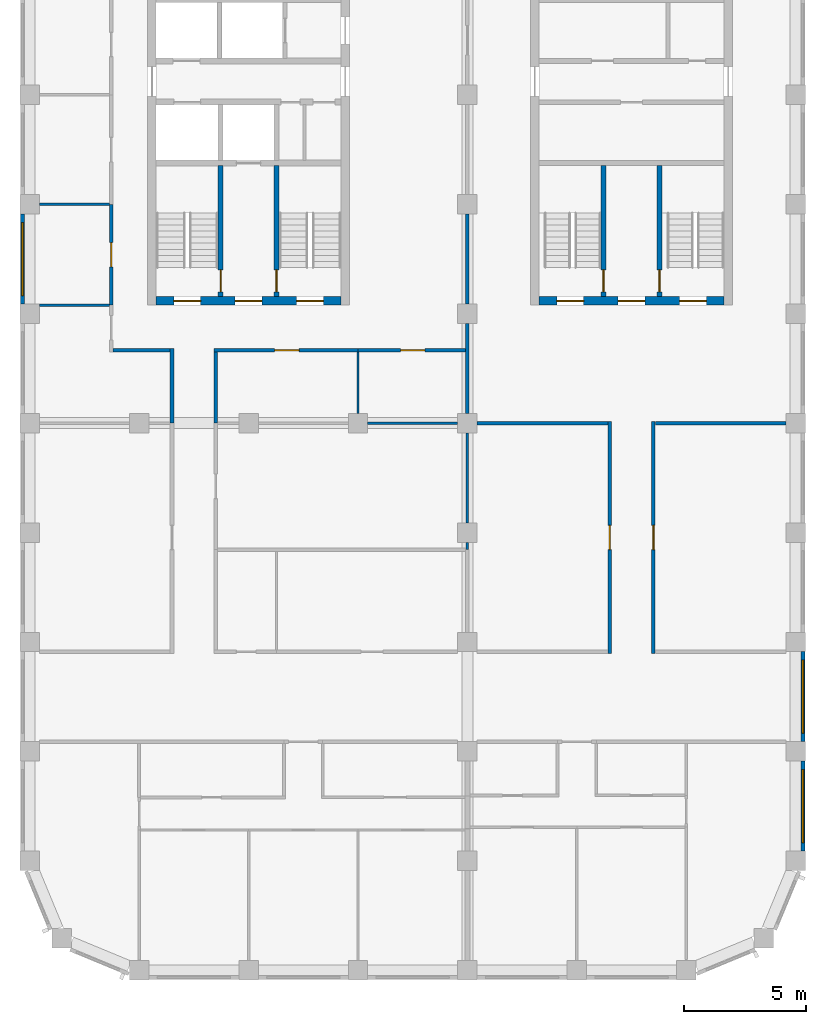
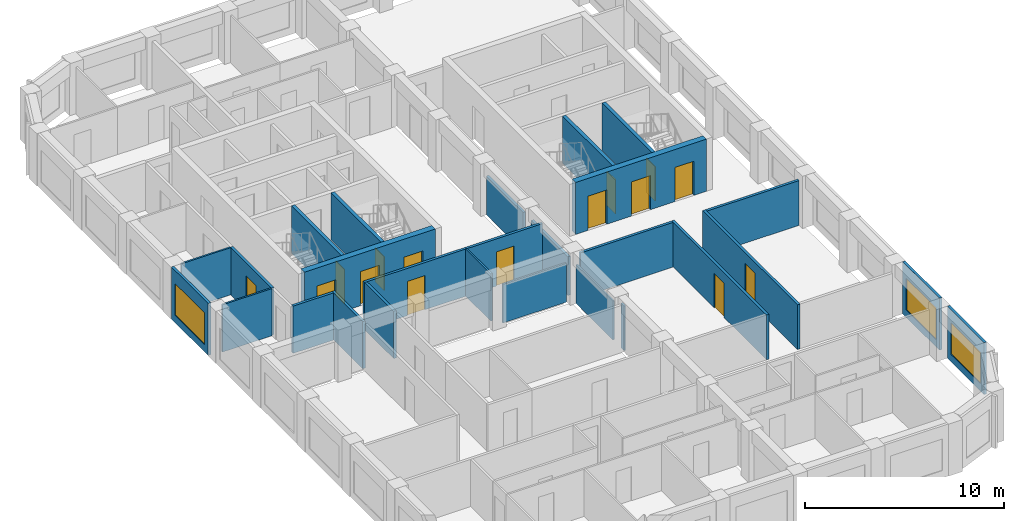
# One storey, part 4 of 9: 27 walls, 15 doors, 3 windows, 18 openings.
"""IFC4 building model written with IfcOpenShell, lengths in metres."""

from ifc_helpers import new_model, si_unit, direction, frame, frame_2d, origin, place, context, subcontext, project, spatial, rectangle, extrude, material, layer, layer_set, type_object, element, fill, save


model = new_model("IFC4")

# Units and contexts
model_context = context("Model", 3, precision=1e-05, world=origin(), true_north=direction((0.0, 1.0)))
body_context = subcontext(model_context, "Body", "Model", "MODEL_VIEW")
ifc_project = project(units=[si_unit("LENGTHUNIT", "METRE"), si_unit("AREAUNIT", "SQUARE_METRE"), si_unit("VOLUMEUNIT", "CUBIC_METRE"), si_unit("PLANEANGLEUNIT", "RADIAN"), si_unit("MASSUNIT", "GRAM", prefix="KILO")], contexts=[model_context])

# Site, building, storey
site_placement = place(None, origin())
site = spatial("IfcSite", under=ifc_project, at=site_placement, CompositionType="ELEMENT")
building_placement = place(site_placement, origin())
building = spatial("IfcBuilding", under=site, at=building_placement, Name="Girih Gate Residences", CompositionType="ELEMENT")
storey_placement = place(building_placement, frame((0.0, 0.0, 226.094970703125)))
storey = spatial("IfcBuildingStorey", under=building, at=storey_placement, Name="L63", CompositionType="ELEMENT", Elevation=226.094970703125)

# Walls
ifc_material_1 = material(Name="Gypsum board on steel studs", Category="steel")
ifc_layer_1 = layer(ifc_material_1, 0.14990234375)
ifc_layer_set_1 = layer_set([ifc_layer_1], Name="Compartment wall 150 mm")
wall_type_1 = type_object("IfcWallType", Name="Compartment wall 150 mm", PredefinedType="PARTITIONING", material=ifc_layer_set_1)
for number, where, z_axis, x_axis, name in (
    (1, (18.39990234375, 22.5, 0.0), (0.0, 0.0, 1.0), (1.0, 0.0, 0.0), "L63 partition"),
    (2, (25.72509765625, 22.5, 0.0), (0.0, 0.0, 1.0), (1.0, 0.0, 0.0), "L63 partition"),
):
    element("IfcWall", number, at=place(storey_placement, frame(where, z_axis=z_axis, x_axis=x_axis)), inside=storey, type_object=wall_type_1, Name=name, PredefinedType="PARTITIONING", context=body_context, shape_type="SweptSolid", body=[
        extrude(rectangle(XDim=5.375, YDim=0.14990234375, at=frame_2d((2.6875, 0.0))), origin(), (0.0, 0.0, 1.0), 2.75),
    ])
for number, where, z_axis, x_axis, name in (
    (3, (18.0, 27.39990234375, 0.0), (0.0, 0.0, 1.0), (0.0, 1.0, 0.0), "L63 partition"),
    (4, (18.0, 22.89990234375, 0.0), (0.0, 0.0, 1.0), (0.0, 1.0, 0.0), "L63 partition"),
):
    element("IfcWall", number, at=place(storey_placement, frame(where, z_axis=z_axis, x_axis=x_axis)), inside=storey, type_object=wall_type_1, Name=name, PredefinedType="PARTITIONING", context=body_context, shape_type="SweptSolid", body=[
        extrude(rectangle(XDim=3.7001953125, YDim=0.14990234375, at=frame_2d((1.85009765625, 0.0))), origin(), (0.0, 0.0, 1.0), 2.380126953125),
    ])

# Wall, opening, door
wall_1_placement = place(storey_placement, frame((23.85009765625, 13.02490234375, 0.0), z_axis=(0.0, 0.0, 1.0), x_axis=(0.0, 1.0, 0.0)))
wall_1 = element("IfcWall", 5, at=wall_1_placement, inside=storey, type_object=wall_type_1, Name="L63 partition", PredefinedType="PARTITIONING", context=body_context, shape_type="SweptSolid", body=[
    extrude(rectangle(XDim=9.550048828125, YDim=0.14990234375, at=frame_2d((4.77490234375, 0.0))), origin(), (0.0, 0.0, 1.0), 2.75),
])
opening_1_placement = place(wall_1_placement, frame((4.27490234375, 0.0, 0.0)))
opening_1 = element("IfcOpeningElement", 6, at=opening_1_placement, cuts=wall_1, Name="Opening A63-027", PredefinedType="OPENING", context=body_context, shape_type="SweptSolid", body=[
    extrude(rectangle(XDim=1.0, YDim=2.10009765625, at=frame_2d((0.5, 1.050048828125))), frame((0.0, 0.0849609375, 0.0), z_axis=(0.0, -1.0, 0.0), x_axis=(1.0, 0.0, 0.0)), (0.0, 0.0, 1.0), 0.169921875),
])
ifc_material_2 = material(Name="Timber, fire-rated core", Category="wood")
door_type_1 = type_object("IfcDoorType", Name="Amenity room door 1000x2100 FD30S", OperationType="NOTDEFINED", PredefinedType="DOOR", material=ifc_material_2)
door_1_placement = place(opening_1_placement, origin())
door_1 = element("IfcDoor", 7, at=door_1_placement, inside=storey, type_object=door_type_1, Name="Door A63-027", OperationType="SINGLE_SWING_RIGHT", OverallHeight=2.10009765625, OverallWidth=1.0, PredefinedType="DOOR", context=body_context, shape_type="SweptSolid", body=[
    extrude(rectangle(XDim=1.0, YDim=2.10009765625, at=frame_2d((0.5, 1.050048828125))), frame((0.0, 0.02490234375, 0.0), z_axis=(0.0, -1.0, 0.0), x_axis=(1.0, 0.0, 0.0)), (0.0, 0.0, 1.0), 0.050048828125),
])
fill(opening_1, door_1)

wall_2_placement = place(storey_placement, frame((25.64990234375, 22.574951171875, 0.0), z_axis=(0.0, 0.0, 1.0), x_axis=(0.0, -1.0, 0.0)))
wall_2 = element("IfcWall", 8, at=wall_2_placement, inside=storey, type_object=wall_type_1, Name="L63 partition", PredefinedType="PARTITIONING", context=body_context, shape_type="SweptSolid", body=[
    extrude(rectangle(XDim=9.550048828125, YDim=0.14990234375, at=frame_2d((4.77490234375, 0.0))), origin(), (0.0, 0.0, 1.0), 2.75),
])
opening_2_placement = place(wall_2_placement, frame((4.27490234375, 0.0, 0.0)))
opening_2 = element("IfcOpeningElement", 9, at=opening_2_placement, cuts=wall_2, Name="Opening A63-028", PredefinedType="OPENING", context=body_context, shape_type="SweptSolid", body=[
    extrude(rectangle(XDim=1.0, YDim=2.10009765625, at=frame_2d((0.5, 1.050048828125))), frame((0.0, 0.0849609375, 0.0), z_axis=(0.0, -1.0, 0.0), x_axis=(1.0, 0.0, 0.0)), (0.0, 0.0, 1.0), 0.169921875),
])
door_2_placement = place(opening_2_placement, origin())
door_2 = element("IfcDoor", 10, at=door_2_placement, inside=storey, type_object=door_type_1, Name="Door A63-028", OperationType="SINGLE_SWING_LEFT", OverallHeight=2.10009765625, OverallWidth=1.0, PredefinedType="DOOR", context=body_context, shape_type="SweptSolid", body=[
    extrude(rectangle(XDim=1.0, YDim=2.10009765625, at=frame_2d((0.5, 1.050048828125))), frame((0.0, 0.02490234375, 0.0), z_axis=(0.0, -1.0, 0.0), x_axis=(1.0, 0.0, 0.0)), (0.0, 0.0, 1.0), 0.050048828125),
])
fill(opening_2, door_2)

# Walls
wall_3_placement = place(storey_placement, frame((5.85009765625, 22.5, 0.0), z_axis=(0.0, 0.0, 1.0), x_axis=(0.0, 1.0, 0.0)))
element("IfcWall", 11, at=wall_3_placement, inside=storey, type_object=wall_type_1, Name="L63 partition", PredefinedType="PARTITIONING", context=body_context, shape_type="SweptSolid", body=[
    extrude(rectangle(XDim=3.074951171875, YDim=0.14990234375, at=frame_2d((1.53759765625, 0.0))), origin(), (0.0, 0.0, 1.0), 2.900146484375),
])
wall_4_placement = place(storey_placement, frame((3.425048828125, 25.5, 0.0), z_axis=(0.0, 0.0, 1.0), x_axis=(1.0, 0.0, 0.0)))
element("IfcWall", 12, at=wall_4_placement, inside=storey, type_object=wall_type_1, Name="L63 partition", PredefinedType="PARTITIONING", context=body_context, shape_type="SweptSolid", body=[
    extrude(rectangle(XDim=2.349853515625, YDim=0.14990234375, at=frame_2d((1.1748046875, 0.0))), origin(), (0.0, 0.0, 1.0), 2.900146484375),
])

# Wall, opening, door
wall_5_placement = place(storey_placement, frame((13.5, 25.5, 0.0), z_axis=(0.0, 0.0, 1.0), x_axis=(-1.0, 0.0, 0.0)))
wall_5 = element("IfcWall", 13, at=wall_5_placement, inside=storey, type_object=wall_type_1, Name="L63 partition", PredefinedType="PARTITIONING", context=body_context, shape_type="SweptSolid", body=[
    extrude(rectangle(XDim=5.925048828125, YDim=0.14990234375, at=frame_2d((2.96240234375, 0.0))), origin(), (0.0, 0.0, 1.0), 2.900146484375),
])
opening_3_placement = place(wall_5_placement, frame((2.425048828125, 0.0, 0.0)))
opening_3 = element("IfcOpeningElement", 14, at=opening_3_placement, cuts=wall_5, Name="Opening A63-032", PredefinedType="OPENING", context=body_context, shape_type="SweptSolid", body=[
    extrude(rectangle(XDim=1.0, YDim=2.10009765625, at=frame_2d((0.5, 1.050048828125))), frame((0.0, 0.0849609375, 0.0), z_axis=(0.0, -1.0, 0.0), x_axis=(1.0, 0.0, 0.0)), (0.0, 0.0, 1.0), 0.169921875),
])
door_3_placement = place(opening_3_placement, origin())
door_3 = element("IfcDoor", 15, at=door_3_placement, inside=storey, type_object=door_type_1, Name="Door A63-032", OperationType="SINGLE_SWING_LEFT", OverallHeight=2.10009765625, OverallWidth=1.0, PredefinedType="DOOR", context=body_context, shape_type="SweptSolid", body=[
    extrude(rectangle(XDim=1.0, YDim=2.10009765625, at=frame_2d((0.5, 1.050048828125))), frame((0.0, 0.02490234375, 0.0), z_axis=(0.0, -1.0, 0.0), x_axis=(1.0, 0.0, 0.0)), (0.0, 0.0, 1.0), 0.050048828125),
])
fill(opening_3, door_3)

# Wall
wall_6_placement = place(storey_placement, frame((7.64990234375, 22.5, 0.0), z_axis=(0.0, 0.0, 1.0), x_axis=(0.0, 1.0, 0.0)))
element("IfcWall", 16, at=wall_6_placement, inside=storey, type_object=wall_type_1, Name="L63 partition", PredefinedType="PARTITIONING", context=body_context, shape_type="SweptSolid", body=[
    extrude(rectangle(XDim=2.925048828125, YDim=0.14990234375, at=frame_2d((1.46240234375, 0.0))), origin(), (0.0, 0.0, 1.0), 2.900146484375),
])

# Wall, opening, door
wall_7_placement = place(storey_placement, frame((17.925048828125, 25.5, 0.0), z_axis=(0.0, 0.0, 1.0), x_axis=(-1.0, 0.0, 0.0)))
wall_7 = element("IfcWall", 17, at=wall_7_placement, inside=storey, type_object=wall_type_1, Name="L63 partition", PredefinedType="PARTITIONING", context=body_context, shape_type="SweptSolid", body=[
    extrude(rectangle(XDim=4.425048828125, YDim=0.14990234375, at=frame_2d((2.21240234375, 0.0))), origin(), (0.0, 0.0, 1.0), 2.900146484375),
])
opening_4_placement = place(wall_7_placement, frame((1.675048828125, 0.0, 0.0)))
opening_4 = element("IfcOpeningElement", 18, at=opening_4_placement, cuts=wall_7, Name="Opening A63-033", PredefinedType="OPENING", context=body_context, shape_type="SweptSolid", body=[
    extrude(rectangle(XDim=1.0, YDim=2.10009765625, at=frame_2d((0.5, 1.050048828125))), frame((0.0, 0.0849609375, 0.0), z_axis=(0.0, -1.0, 0.0), x_axis=(1.0, 0.0, 0.0)), (0.0, 0.0, 1.0), 0.169921875),
])
door_4_placement = place(opening_4_placement, origin())
door_4 = element("IfcDoor", 19, at=door_4_placement, inside=storey, type_object=door_type_1, Name="Door A63-033", OperationType="SINGLE_SWING_LEFT", OverallHeight=2.10009765625, OverallWidth=1.0, PredefinedType="DOOR", context=body_context, shape_type="SweptSolid", body=[
    extrude(rectangle(XDim=1.0, YDim=2.10009765625, at=frame_2d((0.5, 1.050048828125))), frame((0.0, 0.02490234375, 0.0), z_axis=(0.0, -1.0, 0.0), x_axis=(1.0, 0.0, 0.0)), (0.0, 0.0, 1.0), 0.050048828125),
])
fill(opening_4, door_4)

wall_8_placement = place(storey_placement, frame((3.35009765625, 27.35009765625, 0.0), z_axis=(0.0, 0.0, 1.0), x_axis=(0.0, 1.0, 0.0)))
wall_8 = element("IfcWall", 20, at=wall_8_placement, inside=storey, type_object=wall_type_1, Name="L63 partition", PredefinedType="PARTITIONING", context=body_context, shape_type="SweptSolid", body=[
    extrude(rectangle(XDim=4.14990234375, YDim=0.14990234375, at=frame_2d((2.074951171875, 0.0))), origin(), (0.0, 0.0, 1.0), 2.900146484375),
])
opening_5_placement = place(wall_8_placement, frame((1.574951171875, 0.0, 0.0)))
opening_5 = element("IfcOpeningElement", 21, at=opening_5_placement, cuts=wall_8, Name="Opening A63-034", PredefinedType="OPENING", context=body_context, shape_type="SweptSolid", body=[
    extrude(rectangle(XDim=1.0, YDim=2.10009765625, at=frame_2d((0.5, 1.050048828125))), frame((0.0, 0.0849609375, 0.0), z_axis=(0.0, -1.0, 0.0), x_axis=(1.0, 0.0, 0.0)), (0.0, 0.0, 1.0), 0.169921875),
])
door_5_placement = place(opening_5_placement, origin())
door_5 = element("IfcDoor", 22, at=door_5_placement, inside=storey, type_object=door_type_1, Name="Door A63-034", OperationType="SINGLE_SWING_RIGHT", OverallHeight=2.10009765625, OverallWidth=1.0, PredefinedType="DOOR", context=body_context, shape_type="SweptSolid", body=[
    extrude(rectangle(XDim=1.0, YDim=2.10009765625, at=frame_2d((0.5, 1.050048828125))), frame((0.0, 0.02490234375, 0.0), z_axis=(0.0, -1.0, 0.0), x_axis=(1.0, 0.0, 0.0)), (0.0, 0.0, 1.0), 0.050048828125),
])
fill(opening_5, door_5)

# Wall, openings, doors
ifc_material_3 = material(Name="Concrete C60/75", Category="concrete")
ifc_layer_2 = layer(ifc_material_3, 0.35009765625)
ifc_layer_set_2 = layer_set([ifc_layer_2], Name="Core wall RC 350 Concrete C60/75")
wall_type_2 = type_object("IfcWallType", Name="Core wall RC 350 Concrete C60/75", PredefinedType="SOLIDWALL", material=ifc_layer_set_2)
wall_9_placement = place(storey_placement, frame((5.199951171875, 27.52490234375, 0.0), z_axis=(0.0, 0.0, 1.0), x_axis=(1.0, 0.0, 0.0)))
wall_9 = element("IfcWall", 23, at=wall_9_placement, inside=storey, type_object=wall_type_2, Name="Core wall W-S L63", PredefinedType="SOLIDWALL", context=body_context, shape_type="SweptSolid", body=[
    extrude(rectangle(XDim=7.60009765625, YDim=0.35009765625, at=frame_2d((3.800048828125, 0.0))), origin(), (0.0, 0.0, 1.0), 3.199951171875),
])
opening_6_placement = place(wall_9_placement, frame((0.72509765625, 0.0, 0.0)))
opening_6 = element("IfcOpeningElement", 24, at=opening_6_placement, cuts=wall_9, Name="Opening D-L63-W-009", PredefinedType="OPENING", context=body_context, shape_type="SweptSolid", body=[
    extrude(rectangle(XDim=1.10009765625, YDim=2.10009765625, at=frame_2d((0.550048828125, 1.050048828125))), frame((0.0, 0.18505859375, 0.0), z_axis=(0.0, -1.0, 0.0), x_axis=(1.0, 0.0, 0.0)), (0.0, 0.0, 1.0), 0.3701171875),
])
opening_7_placement = place(wall_9_placement, frame((3.25, 0.0, 0.0)))
opening_7 = element("IfcOpeningElement", 25, at=opening_7_placement, cuts=wall_9, Name="Opening D-L63-W-010", PredefinedType="OPENING", context=body_context, shape_type="SweptSolid", body=[
    extrude(rectangle(XDim=1.10009765625, YDim=2.10009765625, at=frame_2d((0.550048828125, 1.050048828125))), frame((0.0, 0.18505859375, 0.0), z_axis=(0.0, -1.0, 0.0), x_axis=(1.0, 0.0, 0.0)), (0.0, 0.0, 1.0), 0.3701171875),
])
opening_8_placement = place(wall_9_placement, frame((5.77490234375, 0.0, 0.0)))
opening_8 = element("IfcOpeningElement", 26, at=opening_8_placement, cuts=wall_9, Name="Opening D-L63-W-011", PredefinedType="OPENING", context=body_context, shape_type="SweptSolid", body=[
    extrude(rectangle(XDim=1.10009765625, YDim=2.10009765625, at=frame_2d((0.550048828125, 1.050048828125))), frame((0.0, 0.18505859375, 0.0), z_axis=(0.0, -1.0, 0.0), x_axis=(1.0, 0.0, 0.0)), (0.0, 0.0, 1.0), 0.3701171875),
])
ifc_material_4 = material(Name="Painted steel, fire-resisting", Category="steel")
door_type_2 = type_object("IfcDoorType", Name="Fire door 1100x2100", OperationType="SINGLE_SWING_LEFT", PredefinedType="DOOR", material=ifc_material_4)
door_6_placement = place(opening_6_placement, origin())
door_6 = element("IfcDoor", 27, at=door_6_placement, inside=storey, type_object=door_type_2, Name="L63 W core door sta-out", OperationType="SINGLE_SWING_LEFT", OverallHeight=2.10009765625, OverallWidth=1.10009765625, PredefinedType="DOOR", context=body_context, shape_type="SweptSolid", body=[
    extrude(rectangle(XDim=1.10009765625, YDim=2.10009765625, at=frame_2d((0.550048828125, 1.050048828125))), frame((0.0, 0.02490234375, 0.0), z_axis=(0.0, -1.0, 0.0), x_axis=(1.0, 0.0, 0.0)), (0.0, 0.0, 1.0), 0.050048828125),
])
fill(opening_6, door_6)
door_7_placement = place(opening_7_placement, origin())
door_7 = element("IfcDoor", 28, at=door_7_placement, inside=storey, type_object=door_type_2, Name="L63 W core door ffl-out", OperationType="SINGLE_SWING_LEFT", OverallHeight=2.10009765625, OverallWidth=1.10009765625, PredefinedType="DOOR", context=body_context, shape_type="SweptSolid", body=[
    extrude(rectangle(XDim=1.10009765625, YDim=2.10009765625, at=frame_2d((0.550048828125, 1.050048828125))), frame((0.0, 0.02490234375, 0.0), z_axis=(0.0, -1.0, 0.0), x_axis=(1.0, 0.0, 0.0)), (0.0, 0.0, 1.0), 0.050048828125),
])
fill(opening_7, door_7)
door_8_placement = place(opening_8_placement, origin())
door_8 = element("IfcDoor", 29, at=door_8_placement, inside=storey, type_object=door_type_2, Name="L63 W core door stb-out", OperationType="SINGLE_SWING_LEFT", OverallHeight=2.10009765625, OverallWidth=1.10009765625, PredefinedType="DOOR", context=body_context, shape_type="SweptSolid", body=[
    extrude(rectangle(XDim=1.10009765625, YDim=2.10009765625, at=frame_2d((0.550048828125, 1.050048828125))), frame((0.0, 0.02490234375, 0.0), z_axis=(0.0, -1.0, 0.0), x_axis=(1.0, 0.0, 0.0)), (0.0, 0.0, 1.0), 0.050048828125),
])
fill(opening_8, door_8)

# Walls
ifc_layer_3 = layer(ifc_material_1, 0.10009765625)
ifc_layer_set_3 = layer_set([ifc_layer_3], Name="Partition 100 mm")
wall_type_3 = type_object("IfcWallType", Name="Partition 100 mm", PredefinedType="PARTITIONING", material=ifc_layer_set_3)
wall_10_placement = place(storey_placement, frame((18.0, 18.39990234375, 0.0), z_axis=(0.0, 0.0, 1.0), x_axis=(0.0, 1.0, 0.0)))
element("IfcWall", 30, at=wall_10_placement, inside=storey, type_object=wall_type_3, Name="L63 partition", PredefinedType="PARTITIONING", context=body_context, shape_type="SweptSolid", body=[
    extrude(rectangle(XDim=3.7001953125, YDim=0.10009765625, at=frame_2d((1.85009765625, 0.0))), origin(), (0.0, 0.0, 1.0), 2.380126953125),
])
wall_11_placement = place(storey_placement, frame((18.0, 17.300048828125, 0.0), z_axis=(0.0, 0.0, 1.0), x_axis=(0.0, 1.0, 0.0)))
element("IfcWall", 31, at=wall_11_placement, inside=storey, type_object=wall_type_3, Name="L63 partition", PredefinedType="PARTITIONING", context=body_context, shape_type="SweptSolid", body=[
    extrude(rectangle(XDim=0.300048828125, YDim=0.10009765625, at=frame_2d((0.14990234375, 0.0))), origin(), (0.0, 0.0, 1.0), 2.75),
])
wall_12_placement = place(storey_placement, frame((13.89990234375, 22.5, 0.0), z_axis=(0.0, 0.0, 1.0), x_axis=(1.0, 0.0, 0.0)))
element("IfcWall", 32, at=wall_12_placement, inside=storey, type_object=wall_type_3, Name="L63 partition", PredefinedType="PARTITIONING", context=body_context, shape_type="SweptSolid", body=[
    extrude(rectangle(XDim=3.7001953125, YDim=0.10009765625, at=frame_2d((1.85009765625, 0.0))), origin(), (0.0, 0.0, 1.0), 2.380126953125),
])
wall_13_placement = place(storey_placement, frame((0.39990234375, 27.35009765625, 0.0), z_axis=(0.0, 0.0, 1.0), x_axis=(1.0, 0.0, 0.0)))
element("IfcWall", 33, at=wall_13_placement, inside=storey, type_object=wall_type_3, Name="L63 partition", PredefinedType="PARTITIONING", context=body_context, shape_type="SweptSolid", body=[
    extrude(rectangle(XDim=2.875, YDim=0.10009765625, at=frame_2d((1.4375, 0.0))), origin(), (0.0, 0.0, 1.0), 2.900146484375),
])
wall_14_placement = place(storey_placement, frame((13.5, 22.89990234375, 0.0), z_axis=(0.0, 0.0, 1.0), x_axis=(0.0, 1.0, 0.0)))
element("IfcWall", 34, at=wall_14_placement, inside=storey, type_object=wall_type_3, Name="L63 partition", PredefinedType="PARTITIONING", context=body_context, shape_type="SweptSolid", body=[
    extrude(rectangle(XDim=2.525146484375, YDim=0.10009765625, at=frame_2d((1.2626953125, 0.0))), origin(), (0.0, 0.0, 1.0), 2.900146484375),
])
wall_15_placement = place(storey_placement, frame((0.39990234375, 31.5, 0.0), z_axis=(0.0, 0.0, 1.0), x_axis=(1.0, 0.0, 0.0)))
element("IfcWall", 35, at=wall_15_placement, inside=storey, type_object=wall_type_3, Name="L63 partition", PredefinedType="PARTITIONING", context=body_context, shape_type="SweptSolid", body=[
    extrude(rectangle(XDim=2.875, YDim=0.10009765625, at=frame_2d((1.4375, 0.0))), origin(), (0.0, 0.0, 1.0), 2.900146484375),
])

# Wall, opening, window
ifc_material_5 = material(Name="Precast concrete C50/60", Category="concrete")
ifc_layer_4 = layer(ifc_material_5, 0.050048828125, Name="Outer leaf")
ifc_material_6 = material(Name="Rigid PIR insulation")
ifc_layer_5 = layer(ifc_material_6, 0.06005859375, Name="Insulation")
ifc_material_7 = material(Name="Precast concrete C40/50", Category="concrete")
ifc_layer_6 = layer(ifc_material_7, 0.0400390625, Name="Inner leaf")
ifc_layer_set_4 = layer_set([ifc_layer_4, ifc_layer_5, ifc_layer_6], Name="Precast concrete C50/60 external wall 150")
wall_type_4 = type_object("IfcWallType", Name="Precast concrete C50/60 external wall 150", PredefinedType="SOLIDWALL", material=ifc_layer_set_4)
wall_16_placement = place(storey_placement, frame((31.800048828125, 8.60009765625, 0.0), z_axis=(0.0, 0.0, 1.0), x_axis=(0.0, -1.0, 0.0)))
wall_16 = element("IfcWall", 36, at=wall_16_placement, inside=storey, type_object=wall_type_4, Name="External wall E0315_0045.0", PredefinedType="SOLIDWALL", context=body_context, shape_type="SweptSolid", body=[
    extrude(rectangle(XDim=3.7001953125, YDim=0.14990234375, at=frame_2d((1.85009765625, 0.0))), origin(), (0.0, 0.0, 1.0), 3.199951171875),
])
opening_9_placement = place(wall_16_placement, frame((0.35009765625, 0.0, 0.449951171875)))
opening_9 = element("IfcOpeningElement", 37, at=opening_9_placement, cuts=wall_16, Name="Opening W-1D", PredefinedType="OPENING", context=body_context, shape_type="SweptSolid", body=[
    extrude(rectangle(XDim=3.0, YDim=1.949951171875, at=frame_2d((1.5, 0.97509765625))), frame((0.0, 0.0849609375, 0.0), z_axis=(0.0, -1.0, 0.0), x_axis=(1.0, 0.0, 0.0)), (0.0, 0.0, 1.0), 0.169921875),
])
ifc_material_8 = material(Name="Double glazing in aluminium frame", Category="aluminium")
window_type = type_object("IfcWindowType", Name="Window W-1D 3000x1950", PartitioningType="SINGLE_PANEL", PredefinedType="WINDOW", material=ifc_material_8)
window_1_placement = place(opening_9_placement, origin())
window_1 = element("IfcWindow", 38, at=window_1_placement, inside=storey, type_object=window_type, Name="Window W-1D E0315_0045.0", OverallHeight=1.949951171875, OverallWidth=3.0, PartitioningType="SINGLE_PANEL", PredefinedType="WINDOW", context=body_context, shape_type="SweptSolid", body=[
    extrude(rectangle(XDim=3.0, YDim=1.949951171875, at=frame_2d((1.5, 0.97509765625))), frame((0.0, 0.030029296875, 0.0), z_axis=(0.0, -1.0, 0.0), x_axis=(1.0, 0.0, 0.0)), (0.0, 0.0, 1.0), 0.06005859375),
])
fill(opening_9, window_1)

wall_17_placement = place(storey_placement, frame((31.800048828125, 13.10009765625, 0.0), z_axis=(0.0, 0.0, 1.0), x_axis=(0.0, -1.0, 0.0)))
wall_17 = element("IfcWall", 39, at=wall_17_placement, inside=storey, type_object=wall_type_4, Name="External wall E0315_0045.1", PredefinedType="SOLIDWALL", context=body_context, shape_type="SweptSolid", body=[
    extrude(rectangle(XDim=3.7001953125, YDim=0.14990234375, at=frame_2d((1.85009765625, 0.0))), origin(), (0.0, 0.0, 1.0), 3.199951171875),
])
opening_10_placement = place(wall_17_placement, frame((0.35009765625, 0.0, 0.449951171875)))
opening_10 = element("IfcOpeningElement", 40, at=opening_10_placement, cuts=wall_17, Name="Opening W-1D", PredefinedType="OPENING", context=body_context, shape_type="SweptSolid", body=[
    extrude(rectangle(XDim=3.0, YDim=1.949951171875, at=frame_2d((1.5, 0.97509765625))), frame((0.0, 0.0849609375, 0.0), z_axis=(0.0, -1.0, 0.0), x_axis=(1.0, 0.0, 0.0)), (0.0, 0.0, 1.0), 0.169921875),
])
window_2_placement = place(opening_10_placement, origin())
window_2 = element("IfcWindow", 41, at=window_2_placement, inside=storey, type_object=window_type, Name="Window W-1D E0315_0045.1", OverallHeight=1.949951171875, OverallWidth=3.0, PartitioningType="SINGLE_PANEL", PredefinedType="WINDOW", context=body_context, shape_type="SweptSolid", body=[
    extrude(rectangle(XDim=3.0, YDim=1.949951171875, at=frame_2d((1.5, 0.97509765625))), frame((0.0, 0.030029296875, 0.0), z_axis=(0.0, -1.0, 0.0), x_axis=(1.0, 0.0, 0.0)), (0.0, 0.0, 1.0), 0.06005859375),
])
fill(opening_10, window_2)

wall_18_placement = place(storey_placement, frame((-0.300048828125, 27.39990234375, 0.0), z_axis=(0.0, 0.0, 1.0), x_axis=(0.0, 1.0, 0.0)))
wall_18 = element("IfcWall", 42, at=wall_18_placement, inside=storey, type_object=wall_type_4, Name="External wall W0000_0450.3", PredefinedType="SOLIDWALL", context=body_context, shape_type="SweptSolid", body=[
    extrude(rectangle(XDim=3.7001953125, YDim=0.14990234375, at=frame_2d((1.85009765625, 0.0))), origin(), (0.0, 0.0, 1.0), 3.199951171875),
])
opening_11_placement = place(wall_18_placement, frame((0.35009765625, 0.0, 0.449951171875)))
opening_11 = element("IfcOpeningElement", 43, at=opening_11_placement, cuts=wall_18, Name="Opening W-1D", PredefinedType="OPENING", context=body_context, shape_type="SweptSolid", body=[
    extrude(rectangle(XDim=3.0, YDim=1.949951171875, at=frame_2d((1.5, 0.97509765625))), frame((0.0, 0.0849609375, 0.0), z_axis=(0.0, -1.0, 0.0), x_axis=(1.0, 0.0, 0.0)), (0.0, 0.0, 1.0), 0.169921875),
])
window_3_placement = place(opening_11_placement, origin())
window_3 = element("IfcWindow", 44, at=window_3_placement, inside=storey, type_object=window_type, Name="Window W-1D W0000_0450.3", OverallHeight=1.949951171875, OverallWidth=3.0, PartitioningType="SINGLE_PANEL", PredefinedType="WINDOW", context=body_context, shape_type="SweptSolid", body=[
    extrude(rectangle(XDim=3.0, YDim=1.949951171875, at=frame_2d((1.5, 0.97509765625))), frame((0.0, 0.030029296875, 0.0), z_axis=(0.0, -1.0, 0.0), x_axis=(1.0, 0.0, 0.0)), (0.0, 0.0, 1.0), 0.06005859375),
])
fill(opening_11, window_3)

# Wall, opening, door
ifc_material_9 = material(Name="Concrete C40/50", Category="concrete")
ifc_layer_7 = layer(ifc_material_9, 0.199951171875)
ifc_layer_set_5 = layer_set([ifc_layer_7], Name="Shaft wall 200")
wall_type_5 = type_object("IfcWallType", Name="Shaft wall 200", PredefinedType="SOLIDWALL", material=ifc_layer_set_5)
wall_19_placement = place(storey_placement, frame((7.85009765625, 27.699951171875, 0.0), z_axis=(0.0, 0.0, 1.0), x_axis=(0.0, 1.0, 0.0)))
wall_19 = element("IfcWall", 45, at=wall_19_placement, inside=storey, type_object=wall_type_5, Name="L63 W core wall V1a", PredefinedType="SOLIDWALL", context=body_context, shape_type="SweptSolid", body=[
    extrude(rectangle(XDim=5.400146484375, YDim=0.199951171875, at=frame_2d((2.7001953125, 0.0))), origin(), (0.0, 0.0, 1.0), 2.900146484375),
])
opening_12_placement = place(wall_19_placement, frame((0.199951171875, 0.0, 0.0)))
opening_12 = element("IfcOpeningElement", 46, at=opening_12_placement, cuts=wall_19, Name="Opening D-L63-W-001", PredefinedType="OPENING", context=body_context, shape_type="SweptSolid", body=[
    extrude(rectangle(XDim=0.89990234375, YDim=2.10009765625, at=frame_2d((0.449951171875, 1.050048828125))), frame((0.0, 0.10986328125, 0.0), z_axis=(0.0, -1.0, 0.0), x_axis=(1.0, 0.0, 0.0)), (0.0, 0.0, 1.0), 0.219970703125),
])
door_type_3 = type_object("IfcDoorType", Name="Fire door 900x2100", OperationType="SINGLE_SWING_LEFT", PredefinedType="DOOR", material=ifc_material_4)
door_9_placement = place(opening_12_placement, origin())
door_9 = element("IfcDoor", 47, at=door_9_placement, inside=storey, type_object=door_type_3, Name="L63 W door stair 1 to firefighting lobby", OperationType="SINGLE_SWING_LEFT", OverallHeight=2.10009765625, OverallWidth=0.89990234375, PredefinedType="DOOR", context=body_context, shape_type="SweptSolid", body=[
    extrude(rectangle(XDim=0.89990234375, YDim=2.10009765625, at=frame_2d((0.449951171875, 1.050048828125))), frame((0.0, 0.02490234375, 0.0), z_axis=(0.0, -1.0, 0.0), x_axis=(1.0, 0.0, 0.0)), (0.0, 0.0, 1.0), 0.050048828125),
])
fill(opening_12, door_9)

wall_20_placement = place(storey_placement, frame((10.14990234375, 27.699951171875, 0.0), z_axis=(0.0, 0.0, 1.0), x_axis=(0.0, 1.0, 0.0)))
wall_20 = element("IfcWall", 48, at=wall_20_placement, inside=storey, type_object=wall_type_5, Name="L63 W core wall V2a", PredefinedType="SOLIDWALL", context=body_context, shape_type="SweptSolid", body=[
    extrude(rectangle(XDim=5.400146484375, YDim=0.199951171875, at=frame_2d((2.7001953125, 0.0))), origin(), (0.0, 0.0, 1.0), 2.900146484375),
])
opening_13_placement = place(wall_20_placement, frame((0.199951171875, 0.0, 0.0)))
opening_13 = element("IfcOpeningElement", 49, at=opening_13_placement, cuts=wall_20, Name="Opening D-L63-W-002", PredefinedType="OPENING", context=body_context, shape_type="SweptSolid", body=[
    extrude(rectangle(XDim=0.89990234375, YDim=2.10009765625, at=frame_2d((0.449951171875, 1.050048828125))), frame((0.0, 0.10986328125, 0.0), z_axis=(0.0, -1.0, 0.0), x_axis=(1.0, 0.0, 0.0)), (0.0, 0.0, 1.0), 0.219970703125),
])
door_10_placement = place(opening_13_placement, origin())
door_10 = element("IfcDoor", 50, at=door_10_placement, inside=storey, type_object=door_type_3, Name="L63 W door stair 2 to firefighting lobby", OperationType="SINGLE_SWING_LEFT", OverallHeight=2.10009765625, OverallWidth=0.89990234375, PredefinedType="DOOR", context=body_context, shape_type="SweptSolid", body=[
    extrude(rectangle(XDim=0.89990234375, YDim=2.10009765625, at=frame_2d((0.449951171875, 1.050048828125))), frame((0.0, 0.02490234375, 0.0), z_axis=(0.0, -1.0, 0.0), x_axis=(1.0, 0.0, 0.0)), (0.0, 0.0, 1.0), 0.050048828125),
])
fill(opening_13, door_10)

wall_21_placement = place(storey_placement, frame((23.60009765625, 27.699951171875, 0.0), z_axis=(0.0, 0.0, 1.0), x_axis=(0.0, 1.0, 0.0)))
wall_21 = element("IfcWall", 51, at=wall_21_placement, inside=storey, type_object=wall_type_5, Name="L63 C core wall V1a", PredefinedType="SOLIDWALL", context=body_context, shape_type="SweptSolid", body=[
    extrude(rectangle(XDim=5.400146484375, YDim=0.199951171875, at=frame_2d((2.7001953125, 0.0))), origin(), (0.0, 0.0, 1.0), 2.900146484375),
])
opening_14_placement = place(wall_21_placement, frame((0.199951171875, 0.0, 0.0)))
opening_14 = element("IfcOpeningElement", 52, at=opening_14_placement, cuts=wall_21, Name="Opening D-L63-C-001", PredefinedType="OPENING", context=body_context, shape_type="SweptSolid", body=[
    extrude(rectangle(XDim=0.89990234375, YDim=2.10009765625, at=frame_2d((0.449951171875, 1.050048828125))), frame((0.0, 0.10986328125, 0.0), z_axis=(0.0, -1.0, 0.0), x_axis=(1.0, 0.0, 0.0)), (0.0, 0.0, 1.0), 0.219970703125),
])
door_11_placement = place(opening_14_placement, origin())
door_11 = element("IfcDoor", 53, at=door_11_placement, inside=storey, type_object=door_type_3, Name="L63 C door stair 1 to stair lobby", OperationType="SINGLE_SWING_LEFT", OverallHeight=2.10009765625, OverallWidth=0.89990234375, PredefinedType="DOOR", context=body_context, shape_type="SweptSolid", body=[
    extrude(rectangle(XDim=0.89990234375, YDim=2.10009765625, at=frame_2d((0.449951171875, 1.050048828125))), frame((0.0, 0.02490234375, 0.0), z_axis=(0.0, -1.0, 0.0), x_axis=(1.0, 0.0, 0.0)), (0.0, 0.0, 1.0), 0.050048828125),
])
fill(opening_14, door_11)

wall_22_placement = place(storey_placement, frame((25.89990234375, 27.699951171875, 0.0), z_axis=(0.0, 0.0, 1.0), x_axis=(0.0, 1.0, 0.0)))
wall_22 = element("IfcWall", 54, at=wall_22_placement, inside=storey, type_object=wall_type_5, Name="L63 C core wall V2a", PredefinedType="SOLIDWALL", context=body_context, shape_type="SweptSolid", body=[
    extrude(rectangle(XDim=5.400146484375, YDim=0.199951171875, at=frame_2d((2.7001953125, 0.0))), origin(), (0.0, 0.0, 1.0), 2.900146484375),
])
opening_15_placement = place(wall_22_placement, frame((0.199951171875, 0.0, 0.0)))
opening_15 = element("IfcOpeningElement", 55, at=opening_15_placement, cuts=wall_22, Name="Opening D-L63-C-002", PredefinedType="OPENING", context=body_context, shape_type="SweptSolid", body=[
    extrude(rectangle(XDim=0.89990234375, YDim=2.10009765625, at=frame_2d((0.449951171875, 1.050048828125))), frame((0.0, 0.10986328125, 0.0), z_axis=(0.0, -1.0, 0.0), x_axis=(1.0, 0.0, 0.0)), (0.0, 0.0, 1.0), 0.219970703125),
])
door_12_placement = place(opening_15_placement, origin())
door_12 = element("IfcDoor", 56, at=door_12_placement, inside=storey, type_object=door_type_3, Name="L63 C door stair 2 to stair lobby", OperationType="SINGLE_SWING_LEFT", OverallHeight=2.10009765625, OverallWidth=0.89990234375, PredefinedType="DOOR", context=body_context, shape_type="SweptSolid", body=[
    extrude(rectangle(XDim=0.89990234375, YDim=2.10009765625, at=frame_2d((0.449951171875, 1.050048828125))), frame((0.0, 0.02490234375, 0.0), z_axis=(0.0, -1.0, 0.0), x_axis=(1.0, 0.0, 0.0)), (0.0, 0.0, 1.0), 0.050048828125),
])
fill(opening_15, door_12)

# Wall, openings, doors
ifc_layer_8 = layer(ifc_material_9, 0.35009765625)
ifc_layer_set_6 = layer_set([ifc_layer_8], Name="Stair core wall RC 350 Concrete C40/50")
wall_type_6 = type_object("IfcWallType", Name="Stair core wall RC 350 Concrete C40/50", PredefinedType="SOLIDWALL", material=ifc_layer_set_6)
wall_23_placement = place(storey_placement, frame((20.949951171875, 27.52490234375, 0.0), z_axis=(0.0, 0.0, 1.0), x_axis=(1.0, 0.0, 0.0)))
wall_23 = element("IfcWall", 57, at=wall_23_placement, inside=storey, type_object=wall_type_6, Name="Stair core wall C-S L63", PredefinedType="SOLIDWALL", context=body_context, shape_type="SweptSolid", body=[
    extrude(rectangle(XDim=7.60009765625, YDim=0.35009765625, at=frame_2d((3.800048828125, 0.0))), origin(), (0.0, 0.0, 1.0), 3.199951171875),
])
opening_16_placement = place(wall_23_placement, frame((0.72509765625, 0.0, 0.0)))
opening_16 = element("IfcOpeningElement", 58, at=opening_16_placement, cuts=wall_23, Name="Opening D-L63-C-006", PredefinedType="OPENING", context=body_context, shape_type="SweptSolid", body=[
    extrude(rectangle(XDim=1.10009765625, YDim=2.10009765625, at=frame_2d((0.550048828125, 1.050048828125))), frame((0.0, 0.18505859375, 0.0), z_axis=(0.0, -1.0, 0.0), x_axis=(1.0, 0.0, 0.0)), (0.0, 0.0, 1.0), 0.3701171875),
])
opening_17_placement = place(wall_23_placement, frame((3.25, 0.0, 0.0)))
opening_17 = element("IfcOpeningElement", 59, at=opening_17_placement, cuts=wall_23, Name="Opening D-L63-C-007", PredefinedType="OPENING", context=body_context, shape_type="SweptSolid", body=[
    extrude(rectangle(XDim=1.10009765625, YDim=2.10009765625, at=frame_2d((0.550048828125, 1.050048828125))), frame((0.0, 0.18505859375, 0.0), z_axis=(0.0, -1.0, 0.0), x_axis=(1.0, 0.0, 0.0)), (0.0, 0.0, 1.0), 0.3701171875),
])
opening_18_placement = place(wall_23_placement, frame((5.77490234375, 0.0, 0.0)))
opening_18 = element("IfcOpeningElement", 60, at=opening_18_placement, cuts=wall_23, Name="Opening D-L63-C-008", PredefinedType="OPENING", context=body_context, shape_type="SweptSolid", body=[
    extrude(rectangle(XDim=1.10009765625, YDim=2.10009765625, at=frame_2d((0.550048828125, 1.050048828125))), frame((0.0, 0.18505859375, 0.0), z_axis=(0.0, -1.0, 0.0), x_axis=(1.0, 0.0, 0.0)), (0.0, 0.0, 1.0), 0.3701171875),
])
door_13_placement = place(opening_16_placement, origin())
door_13 = element("IfcDoor", 61, at=door_13_placement, inside=storey, type_object=door_type_2, Name="L63 C core door sta-out", OperationType="SINGLE_SWING_LEFT", OverallHeight=2.10009765625, OverallWidth=1.10009765625, PredefinedType="DOOR", context=body_context, shape_type="SweptSolid", body=[
    extrude(rectangle(XDim=1.10009765625, YDim=2.10009765625, at=frame_2d((0.550048828125, 1.050048828125))), frame((0.0, 0.02490234375, 0.0), z_axis=(0.0, -1.0, 0.0), x_axis=(1.0, 0.0, 0.0)), (0.0, 0.0, 1.0), 0.050048828125),
])
fill(opening_16, door_13)
door_14_placement = place(opening_17_placement, origin())
door_14 = element("IfcDoor", 62, at=door_14_placement, inside=storey, type_object=door_type_2, Name="L63 C core door ffl-out", OperationType="SINGLE_SWING_LEFT", OverallHeight=2.10009765625, OverallWidth=1.10009765625, PredefinedType="DOOR", context=body_context, shape_type="SweptSolid", body=[
    extrude(rectangle(XDim=1.10009765625, YDim=2.10009765625, at=frame_2d((0.550048828125, 1.050048828125))), frame((0.0, 0.02490234375, 0.0), z_axis=(0.0, -1.0, 0.0), x_axis=(1.0, 0.0, 0.0)), (0.0, 0.0, 1.0), 0.050048828125),
])
fill(opening_17, door_14)
door_15_placement = place(opening_18_placement, origin())
door_15 = element("IfcDoor", 63, at=door_15_placement, inside=storey, type_object=door_type_2, Name="L63 C core door stb-out", OperationType="SINGLE_SWING_LEFT", OverallHeight=2.10009765625, OverallWidth=1.10009765625, PredefinedType="DOOR", context=body_context, shape_type="SweptSolid", body=[
    extrude(rectangle(XDim=1.10009765625, YDim=2.10009765625, at=frame_2d((0.550048828125, 1.050048828125))), frame((0.0, 0.02490234375, 0.0), z_axis=(0.0, -1.0, 0.0), x_axis=(1.0, 0.0, 0.0)), (0.0, 0.0, 1.0), 0.050048828125),
])
fill(opening_18, door_15)

save(model, "model.ifc")
